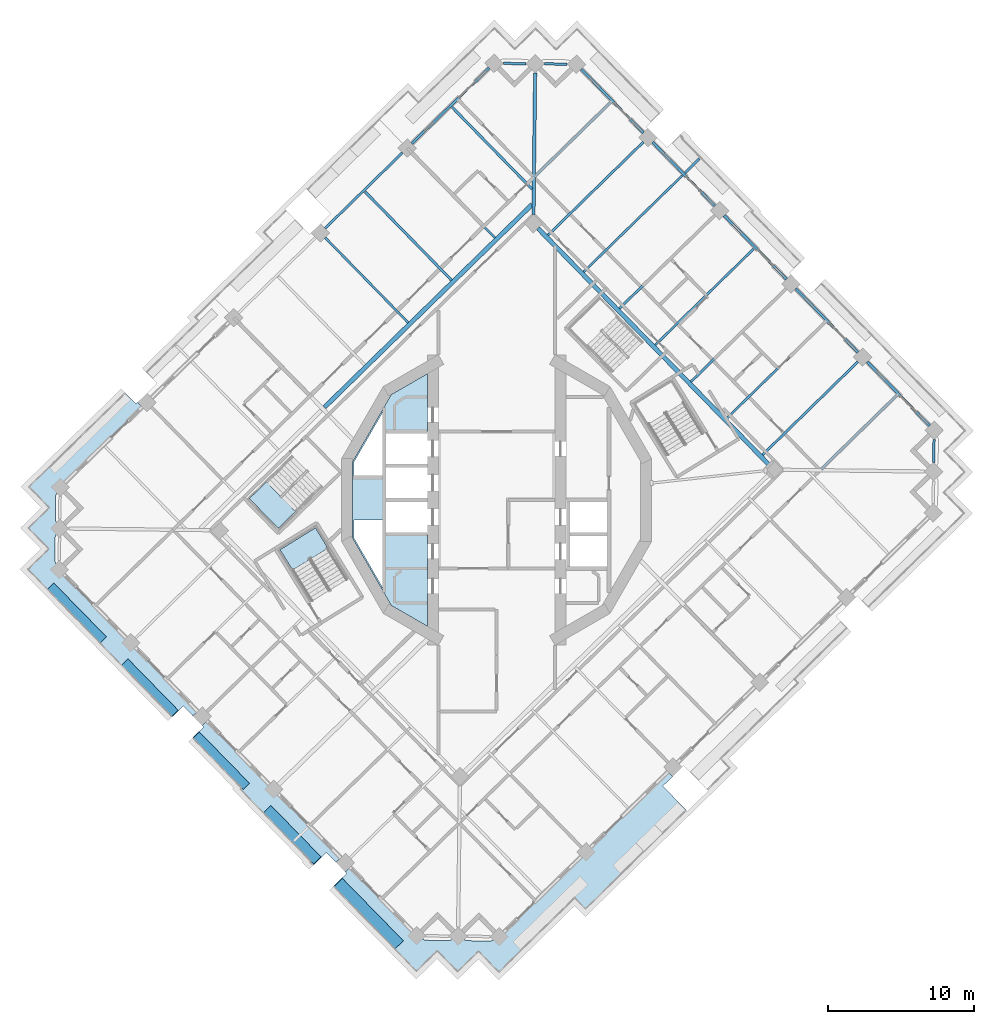
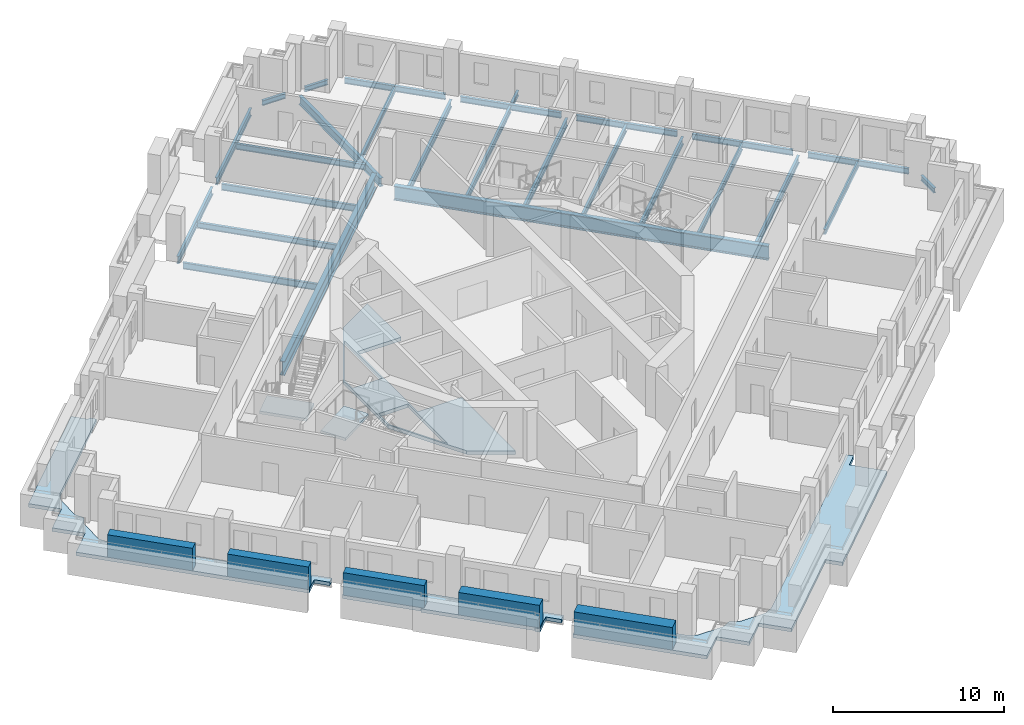
# One storey, part 2 of 19: 27 beams, 6 slabs, 5 plates, 2 elements without a shape of their own.
"""IFC4 building model written with IfcOpenShell, lengths in metres."""

import ifcopenshell
import ifcopenshell.guid

model = None  # the IFC model being written
_history = None  # IfcOwnerHistory: only IFC2X3 demands one
_inside = {}  # id of a spatial element -> (the spatial element, [elements in it])
_under = {}  # id of a project, library or spatial element -> (it, [spatial elements below it])
_declared = {}  # id of a project -> (the project, [libraries it declares])
_typed = {}  # id of a type object -> (the type object, [elements of that type])
_made_of = {}  # id of a material, layer set ... -> (it, [elements and type objects made of it])


def new_model(schema):
    """Start an empty IFC model of exactly this schema.

    Asked for "IFC4X3", IfcOpenShell would pick the latest addendum, in which some entities
    have other attributes; the version numbers below select the first issue.
    IFC2X3 requires an IfcOwnerHistory on every rooted entity: one is made here for all.
    """
    global model, _history
    if schema == "IFC4X3":
        model = ifcopenshell.file(schema_version=(4, 3, 0, 0))
    else:
        model = ifcopenshell.file(schema=schema)
    _inside.clear()
    _under.clear()
    _declared.clear()
    _typed.clear()
    _made_of.clear()
    _history = None
    if model.schema == "IFC2X3":
        org = make("IfcOrganization", Name="unknown")
        user = make(
            "IfcPersonAndOrganization",
            ThePerson=make("IfcPerson", FamilyName="unknown"),
            TheOrganization=org,
        )
        app = make(
            "IfcApplication",
            ApplicationDeveloper=org,
            Version="unknown",
            ApplicationFullName="unknown",
            ApplicationIdentifier="unknown",
        )
        _history = make(
            "IfcOwnerHistory",
            OwningUser=user,
            OwningApplication=app,
            ChangeAction="ADDED",
            CreationDate=0,
        )
    return model


def make(cls, **values):
    """One entity of the class cls with the attributes given. An attribute that is None is left unset."""
    return model.create_entity(
        cls, **{name: value for name, value in values.items() if value is not None}
    )


def rooted(cls, **values):
    """An entity with a GlobalId (a new one), such as an element, a storey or a relation."""
    return make(cls, GlobalId=ifcopenshell.guid.new(), OwnerHistory=_history, **values)


def si_unit(unit_type, name, prefix=None):
    """IfcSIUnit, for example si_unit("LENGTHUNIT", "METRE", prefix="MILLI")."""
    return make("IfcSIUnit", UnitType=unit_type, Prefix=prefix, Name=name)


def assignment(units):
    """IfcUnitAssignment: the units of a project."""
    return None if units is None else make("IfcUnitAssignment", Units=units)


def point(xyz):
    """IfcCartesianPoint."""
    return None if xyz is None else make("IfcCartesianPoint", Coordinates=xyz)


def direction(xyz):
    """IfcDirection."""
    return None if xyz is None else make("IfcDirection", DirectionRatios=xyz)


def frame(location, z_axis=None, x_axis=None):
    """IfcAxis2Placement3D, a coordinate frame: its origin and axes. An axis left out is left unset."""
    return make(
        "IfcAxis2Placement3D",
        Location=point(location),
        Axis=direction(z_axis),
        RefDirection=direction(x_axis),
    )


def frame_2d(location, x_axis=None):
    """IfcAxis2Placement2D, a coordinate frame in the plane: its origin and x axis."""
    return make(
        "IfcAxis2Placement2D", Location=point(location), RefDirection=direction(x_axis)
    )


def origin():
    """The frame at (0, 0, 0) with its axes left unset."""
    return frame((0.0, 0.0, 0.0))


def origin_2d():
    """The frame at (0, 0) in the plane with its x axis left unset."""
    return frame_2d((0.0, 0.0))


def place(relative_to, where):
    """IfcLocalPlacement: puts the frame where relative to a parent placement (None: the world)."""
    return make(
        "IfcLocalPlacement", PlacementRelTo=relative_to, RelativePlacement=where
    )


def context(
    kind, dimensions, precision=None, world=None, true_north=None, identifier=None
):
    """IfcGeometricRepresentationContext, for example the 3D "Model" context."""
    return make(
        "IfcGeometricRepresentationContext",
        ContextIdentifier=identifier,
        ContextType=kind,
        CoordinateSpaceDimension=dimensions,
        Precision=precision,
        WorldCoordinateSystem=world,
        TrueNorth=true_north,
    )


def subcontext(parent, identifier, kind, view, scale=None):
    """IfcGeometricRepresentationSubContext, for example "Body" below "Model"."""
    return make(
        "IfcGeometricRepresentationSubContext",
        ContextIdentifier=identifier,
        ContextType=kind,
        ParentContext=parent,
        TargetScale=scale,
        TargetView=view,
    )


def project(units=None, contexts=None):
    """IfcProject with its units and contexts."""
    return rooted(
        "IfcProject",
        Name="project",
        RepresentationContexts=contexts,
        UnitsInContext=assignment(units),
    )


def spatial(cls, under=None, at=None, **own):
    """A site, building, storey or space (cls), placed at a placement, below another one or the project."""
    s = rooted(cls, ObjectPlacement=at, **own)
    if under is not None:
        _under.setdefault(under.id(), (under, []))[1].append(s)
    return s


def polyline(points):
    """IfcPolyline through the points."""
    return make("IfcPolyline", Points=[point(p) for p in points])


def profile(cls, at=None, kind="AREA", **sizes):
    """A parametric profile (cls). Its sizes go by their IFC names, for example OverallWidth=200.0."""
    return make(cls, ProfileType=kind, Position=at, **sizes)


def rectangle(**sizes):
    """IfcRectangleProfileDef."""
    return profile("IfcRectangleProfileDef", **sizes)


def i_section(**sizes):
    """IfcIShapeProfileDef."""
    return profile("IfcIShapeProfileDef", **sizes)


def outline(outer, holes=None, kind="AREA"):
    """IfcArbitraryClosedProfileDef: a profile drawn as a closed curve; with holes, ...WithVoids."""
    if holes is None:
        return make("IfcArbitraryClosedProfileDef", ProfileType=kind, OuterCurve=outer)
    return make(
        "IfcArbitraryProfileDefWithVoids",
        ProfileType=kind,
        OuterCurve=outer,
        InnerCurves=holes,
    )


def extrude(swept, where, along, depth):
    """IfcExtrudedAreaSolid: the profile swept, set in the frame where, extruded along a direction by depth."""
    return make(
        "IfcExtrudedAreaSolid",
        SweptArea=swept,
        Position=where,
        ExtrudedDirection=direction(along),
        Depth=depth,
    )


def shape(context_of_items, identifier, shape_type, items):
    """IfcShapeRepresentation: the items that make up one representation, for example the "Body"."""
    return make(
        "IfcShapeRepresentation",
        ContextOfItems=context_of_items,
        RepresentationIdentifier=identifier,
        RepresentationType=shape_type,
        Items=items,
    )


def material(Name=None, Category=None):
    """IfcMaterial."""
    return make("IfcMaterial", Name=Name, Category=Category)


def layer(
    of_material, thickness, ventilated=None, Name=None, Category=None, Priority=None
):
    """IfcMaterialLayer: one layer of a wall or slab, of a material (None: an air gap)."""
    return make(
        "IfcMaterialLayer",
        Material=of_material,
        LayerThickness=thickness,
        IsVentilated=ventilated,
        Name=Name,
        Category=Category,
        Priority=Priority,
    )


def layer_set(layers, Name=None):
    """IfcMaterialLayerSet."""
    return make("IfcMaterialLayerSet", MaterialLayers=layers, LayerSetName=Name)


def material_profile(
    of_material, cross_section, Name=None, Category=None, Priority=None
):
    """IfcMaterialProfile: a cross section and its material."""
    return make(
        "IfcMaterialProfile",
        Name=Name,
        Material=of_material,
        Profile=cross_section,
        Priority=Priority,
        Category=Category,
    )


def profile_set(profiles, Name=None, composite=None):
    """IfcMaterialProfileSet."""
    return make(
        "IfcMaterialProfileSet",
        Name=Name,
        MaterialProfiles=profiles,
        CompositeProfile=composite,
    )


def made_of(thing, what):
    """Note that an element or type object is made of a material, layer set ...; save() writes the relation."""
    if what is not None:
        _made_of.setdefault(what.id(), (what, []))[1].append(thing)
    return thing


def type_object(cls, material=None, **own):
    """A type object (cls), such as IfcWallType, which elements share."""
    return made_of(rooted(cls, **own), material)


def element(
    cls,
    number,
    at=None,
    inside=None,
    cuts=None,
    type_object=None,
    material=None,
    context=None,
    identifier="Body",
    shape_type=None,
    held_by="IfcProductDefinitionShape",
    body=None,
    shapes=None,
    **own,
):
    """One element of the class cls, such as IfcWall. Its Tag is "e" and its number.

    at: its placement. inside: the storey or other place that contains it. cuts: it is an
    opening in that element (IfcRelVoidsElement). A single representation is given by context,
    identifier, shape_type and body (its items); several are given by shapes. held_by: the class
    of the entity that holds the representations. save() writes the other relations.
    """
    e = rooted(cls, Tag="e%d" % number, ObjectPlacement=at, **own)
    if body is not None:
        shapes = [shape(context, identifier, shape_type, body)]
    if shapes is not None:
        e.Representation = make(held_by, Representations=shapes)
    if inside is not None:
        _inside.setdefault(inside.id(), (inside, []))[1].append(e)
    if cuts is not None:
        rooted(
            "IfcRelVoidsElement", RelatingBuildingElement=cuts, RelatedOpeningElement=e
        )
    if type_object is not None:
        _typed.setdefault(type_object.id(), (type_object, []))[1].append(e)
    return made_of(e, material)


def aggregate(whole, parts):
    """IfcRelAggregates: a whole, such as a stair, and the parts it consists of."""
    return rooted("IfcRelAggregates", RelatingObject=whole, RelatedObjects=parts)


def save(model, path):
    """Write the relations noted so far, then the file.

    IfcRelAggregates (storeys below a building ...), IfcRelContainedInSpatialStructure (elements
    in a storey), IfcRelDefinesByType, IfcRelAssociatesMaterial and IfcRelDeclares: one each for
    every whole, place, type object, material and project.
    """
    for whole, parts in _under.values():
        aggregate(whole, parts)
    for where, things in _inside.values():
        rooted(
            "IfcRelContainedInSpatialStructure",
            RelatedElements=things,
            RelatingStructure=where,
        )
    for kind, things in _typed.values():
        rooted("IfcRelDefinesByType", RelatedObjects=things, RelatingType=kind)
    for what, things in _made_of.values():
        rooted("IfcRelAssociatesMaterial", RelatedObjects=things, RelatingMaterial=what)
    for by, libraries in _declared.values():
        rooted("IfcRelDeclares", RelatingContext=by, RelatedDefinitions=libraries)
    model.write(path)


model = new_model("IFC4")

# Units and contexts
model_context = context("Model", 3, precision=1e-05, world=origin(), true_north=direction((0.0, 1.0)))
body_context = subcontext(model_context, "Body", "Model", "MODEL_VIEW")
ifc_project = project(units=[si_unit("LENGTHUNIT", "METRE"), si_unit("AREAUNIT", "SQUARE_METRE"), si_unit("VOLUMEUNIT", "CUBIC_METRE"), si_unit("PLANEANGLEUNIT", "RADIAN"), si_unit("MASSUNIT", "GRAM", prefix="KILO")], contexts=[model_context])

# Site, building, storey
site_placement = place(None, origin())
site = spatial("IfcSite", under=ifc_project, at=site_placement, CompositionType="ELEMENT")
building_placement = place(site_placement, origin())
building = spatial("IfcBuilding", under=site, at=building_placement, Name="Cantera Rosa Tower", CompositionType="ELEMENT")
storey_placement = place(building_placement, frame((0.0, 0.0, 216.199951171875)))
storey = spatial("IfcBuildingStorey", under=building, at=storey_placement, Name="L46", CompositionType="ELEMENT", Elevation=216.199951171875)

# Beams
ifc_material_1 = material(Name="Steel ASTM A992 (Fy 345 MPa)", Category="steel")
ifc_material_profile_1 = material_profile(ifc_material_1, i_section(OverallWidth=0.302001953125, OverallDepth=1.010009765625, WebThickness=0.02099609375, FlangeThickness=0.0400390625, FilletRadius=0.030029296875, at=origin_2d()), Name="W1000X350")
ifc_profile_set_1 = profile_set([ifc_material_profile_1], Name="Steel ASTM A992 (Fy 345 MPa)")
beam_type_1 = type_object("IfcBeamType", Name="STEEL BEAM W1000X350", PredefinedType="BEAM", material=ifc_profile_set_1)
beam_1_placement = place(storey_placement, frame((-11.813232421875, 6.353271484375, -0.7548828125), z_axis=(0.715280810147, 0.698837150297, 0.0), x_axis=(-0.698837150297, 0.715280810147, 0.0)))
element("IfcBeam", 1, at=beam_1_placement, inside=storey, type_object=beam_type_1, Name="RB-Z4-02 L46", PredefinedType="BEAM", context=body_context, shape_type="SweptSolid", body=[
    extrude(i_section(OverallWidth=0.302001953125, OverallDepth=1.010009765625, WebThickness=0.02099609375, FlangeThickness=0.0400390625, FilletRadius=0.030029296875, at=origin_2d()), origin(), (0.0, 0.0, 1.0), 19.909912109375),
])
beam_2_placement = place(storey_placement, frame((18.69677734375, 2.39892578125, -0.7548828125), z_axis=(-0.698831294804, 0.715286530981, 0.0), x_axis=(-0.715286530981, -0.698831294804, 0.0)))
element("IfcBeam", 2, at=beam_2_placement, inside=storey, type_object=beam_type_1, Name="RB-Z4-05 L46", PredefinedType="BEAM", context=body_context, shape_type="SweptSolid", body=[
    extrude(i_section(OverallWidth=0.302001953125, OverallDepth=1.010009765625, WebThickness=0.02099609375, FlangeThickness=0.0400390625, FilletRadius=0.030029296875, at=origin_2d()), origin(), (0.0, 0.0, 1.0), 22.7001953125),
])
ifc_material_2 = material(Name="Steel ASTM A992 (Fy 345 MPa)", Category="steel")
ifc_material_profile_2 = material_profile(ifc_material_2, i_section(OverallWidth=0.154052734375, OverallDepth=0.4599609375, WebThickness=0.009033203125, FlangeThickness=0.015380859375, FilletRadius=0.01025390625, at=origin_2d()), Name="W460X68")
ifc_profile_set_2 = profile_set([ifc_material_profile_2], Name="Steel ASTM A992 (Fy 345 MPa)")
beam_type_2 = type_object("IfcBeamType", Name="STEEL BEAM W460X68", PredefinedType="BEAM", material=ifc_profile_set_2)
for number, where, z_axis, x_axis, name in (
    (3, (-5.818603515625, 23.81396484375, -0.47998046875), (0.698836133494, -0.715281803574, 0.0), (0.715281803574, 0.698836133494, 0.0), "G-Z4-05 L46"),
    (4, (-11.769775390625, 17.999755859375, -0.47998046875), (0.698836133494, -0.715281803574, 0.0), (0.715281803574, 0.698836133494, 0.0), "G-Z4-06 L46"),
):
    element("IfcBeam", number, at=place(storey_placement, frame(where, z_axis=z_axis, x_axis=x_axis)), inside=storey, type_object=beam_type_2, Name=name, PredefinedType="BEAM", context=body_context, shape_type="SweptSolid", body=[
        extrude(i_section(OverallWidth=0.154052734375, OverallDepth=0.4599609375, WebThickness=0.009033203125, FlangeThickness=0.015380859375, FilletRadius=0.01025390625, at=origin_2d()), origin(), (0.0, 0.0, 1.0), 8.150146484375),
    ])
ifc_material_3 = material(Name="Steel ASTM A992 (Fy 345 MPa)", Category="steel")
ifc_material_profile_3 = material_profile(ifc_material_3, i_section(OverallWidth=0.166015625, OverallDepth=0.528076171875, WebThickness=0.009765625, FlangeThickness=0.013671875, FilletRadius=0.0126953125, at=origin_2d()), Name="W530X74")
ifc_profile_set_3 = profile_set([ifc_material_profile_3], Name="Steel ASTM A992 (Fy 345 MPa)")
beam_type_3 = type_object("IfcBeamType", Name="STEEL BEAM W530X74", PredefinedType="BEAM", material=ifc_profile_set_3)
for number, where, z_axis, x_axis, name in (
    (5, (24.77587890625, 9.484619140625, -0.513916015625), (-0.71529025682, -0.698827481213, 0.0), (0.698827481213, -0.71529025682, 0.0), "G-Z4-01 L46"),
    (6, (19.8701171875, 14.505859375, -0.513916015625), (-0.71529025682, -0.698827481213, 0.0), (0.698827481213, -0.71529025682, 0.0), "G-Z4-02 L46"),
    (7, (14.96435546875, 19.527099609375, -0.513916015625), (-0.71529025682, -0.698827481213, 0.0), (0.698827481213, -0.71529025682, 0.0), "G-Z4-03 L46"),
    (8, (10.05859375, 24.548583984375, -0.513916015625), (-0.71529025682, -0.698827481213, 0.0), (0.698827481213, -0.71529025682, 0.0), "G-Z4-04 L46"),
):
    element("IfcBeam", number, at=place(storey_placement, frame(where, z_axis=z_axis, x_axis=x_axis)), inside=storey, type_object=beam_type_3, Name=name, PredefinedType="BEAM", context=body_context, shape_type="SweptSolid", body=[
        extrude(i_section(OverallWidth=0.166015625, OverallDepth=0.528076171875, WebThickness=0.009765625, FlangeThickness=0.013671875, FilletRadius=0.0126953125, at=origin_2d()), origin(), (0.0, 0.0, 1.0), 9.14990234375),
    ])
ifc_material_4 = material(Name="Steel ASTM A992 (Fy 345 MPa)", Category="steel")
ifc_material_profile_4 = material_profile(ifc_material_4, i_section(OverallWidth=0.22802734375, OverallDepth=0.60205078125, WebThickness=0.010498046875, FlangeThickness=0.014892578125, FilletRadius=0.0126953125, at=origin_2d()), Name="W610X101")
ifc_profile_set_4 = profile_set([ifc_material_profile_4], Name="Steel ASTM A992 (Fy 345 MPa)")
beam_type_4 = type_object("IfcBeamType", Name="STEEL BEAM W610X101", PredefinedType="BEAM", material=ifc_profile_set_4)
beam_3_placement = place(storey_placement, frame((2.638916015625, 29.28076171875, -0.551025390625), z_axis=(-0.011618330597, -0.999932504919, 0.0), x_axis=(0.999932504919, -0.011618330597, 0.0)))
element("IfcBeam", 9, at=beam_3_placement, inside=storey, type_object=beam_type_4, Name="CB-Z4-01 L46", PredefinedType="BEAM", context=body_context, shape_type="SweptSolid", body=[
    extrude(i_section(OverallWidth=0.22802734375, OverallDepth=0.60205078125, WebThickness=0.010498046875, FlangeThickness=0.014892578125, FilletRadius=0.0126953125, at=origin_2d()), origin(), (0.0, 0.0, 1.0), 9.687255859375),
])
ifc_material_5 = material(Name="Steel ASTM A992 (Fy 345 MPa)", Category="steel")
ifc_material_profile_5 = material_profile(ifc_material_5, i_section(OverallWidth=0.1708984375, OverallDepth=0.35595703125, WebThickness=0.00732421875, FlangeThickness=0.01171875, FilletRadius=0.010009765625, at=origin_2d()), Name="W360X51")
ifc_profile_set_5 = profile_set([ifc_material_profile_5], Name="Steel ASTM A992 (Fy 345 MPa)")
beam_type_5 = type_object("IfcBeamType", Name="STEEL JOIST W360X51", PredefinedType="JOIST", material=ifc_profile_set_5)
for number, where, z_axis, x_axis, name in (
    (10, (27.443359375, 7.18359375, -0.427978515625), (-0.715287213552, -0.69883059616, 0.0), (0.69883059616, -0.715287213552, 0.0), "B-Z4-01 L46"),
    (11, (7.8203125, 27.268798828125, -0.427978515625), (-0.715287213552, -0.69883059616, 0.0), (0.69883059616, -0.715287213552, 0.0), "B-Z4-05 L46"),
):
    element("IfcBeam", number, at=place(storey_placement, frame(where, z_axis=z_axis, x_axis=x_axis)), inside=storey, type_object=beam_type_5, Name=name, PredefinedType="JOIST", context=body_context, shape_type="SweptSolid", body=[
        extrude(i_section(OverallWidth=0.1708984375, OverallDepth=0.35595703125, WebThickness=0.00732421875, FlangeThickness=0.01171875, FilletRadius=0.010009765625, at=origin_2d()), origin(), (0.0, 0.0, 1.0), 7.2099609375),
    ])
beam_4_placement = place(storey_placement, frame((12.92626953125, 22.443115234375, -0.427978515625), z_axis=(0.715278545481, 0.698839468243, 0.0), x_axis=(-0.698839468243, 0.715278545481, 0.0)))
element("IfcBeam", 12, at=beam_4_placement, inside=storey, type_object=beam_type_5, Name="BS-Z4-05 L46", PredefinedType="JOIST", context=body_context, shape_type="SweptSolid", body=[
    extrude(i_section(OverallWidth=0.1708984375, OverallDepth=0.35595703125, WebThickness=0.00732421875, FlangeThickness=0.01171875, FilletRadius=0.010009765625, at=origin_2d()), origin(), (0.0, 0.0, 1.0), 1.3662109375),
])
ifc_material_6 = material(Name="Steel ASTM A992 (Fy 345 MPa)", Category="steel")
ifc_material_profile_6 = material_profile(ifc_material_6, i_section(OverallWidth=0.177978515625, OverallDepth=0.406005859375, WebThickness=0.0078125, FlangeThickness=0.0126953125, FilletRadius=0.01025390625, at=origin_2d()), Name="W410X60")
ifc_profile_set_6 = profile_set([ifc_material_profile_6], Name="Steel ASTM A992 (Fy 345 MPa)")
beam_type_6 = type_object("IfcBeamType", Name="STEEL JOIST W410X60", PredefinedType="JOIST", material=ifc_profile_set_6)
beam_5_placement = place(storey_placement, frame((-3.052734375, 26.935791015625, -0.452880859375), z_axis=(0.698827868311, -0.715289878631, 0.0), x_axis=(0.715289878631, 0.698827868311, 0.0)))
element("IfcBeam", 13, at=beam_5_placement, inside=storey, type_object=beam_type_6, Name="B-Z4-06 L46", PredefinedType="JOIST", context=body_context, shape_type="SweptSolid", body=[
    extrude(i_section(OverallWidth=0.177978515625, OverallDepth=0.406005859375, WebThickness=0.0078125, FlangeThickness=0.0126953125, FilletRadius=0.01025390625, at=origin_2d()), origin(), (0.0, 0.0, 1.0), 7.860107421875),
])
beam_6_placement = place(storey_placement, frame((-9.00390625, 21.121337890625, -0.452880859375), z_axis=(0.698839235604, -0.715278772774, 0.0), x_axis=(0.715278772774, 0.698839235604, 0.0)))
element("IfcBeam", 14, at=beam_6_placement, inside=storey, type_object=beam_type_6, Name="B-Z4-07 L46", PredefinedType="JOIST", context=body_context, shape_type="SweptSolid", body=[
    extrude(i_section(OverallWidth=0.177978515625, OverallDepth=0.406005859375, WebThickness=0.0078125, FlangeThickness=0.0126953125, FilletRadius=0.01025390625, at=origin_2d()), origin(), (0.0, 0.0, 1.0), 8.4501953125),
])
ifc_material_7 = material(Name="Steel ASTM A992 (Fy 345 MPa)", Category="steel")
ifc_material_profile_7 = material_profile(ifc_material_7, i_section(OverallWidth=0.154052734375, OverallDepth=0.4599609375, WebThickness=0.009033203125, FlangeThickness=0.015380859375, FilletRadius=0.01025390625, at=origin_2d()), Name="W460X68")
ifc_profile_set_7 = profile_set([ifc_material_profile_7], Name="Steel ASTM A992 (Fy 345 MPa)")
beam_type_7 = type_object("IfcBeamType", Name="STEEL JOIST W460X68", PredefinedType="JOIST", material=ifc_profile_set_7)
for number, where, z_axis, x_axis, name in (
    (15, (22.53759765625, 12.204833984375, -0.47998046875), (-0.715287278354, -0.698830529832, 0.0), (0.698830529832, -0.715287278354, 0.0), "B-Z4-02 L46"),
    (16, (17.6318359375, 17.226318359375, -0.47998046875), (-0.715287278354, -0.698830529832, 0.0), (0.698830529832, -0.715287278354, 0.0), "B-Z4-03 L46"),
    (17, (12.72607421875, 22.24755859375, -0.47998046875), (-0.715287278354, -0.698830529832, 0.0), (0.698830529832, -0.715287278354, 0.0), "B-Z4-04 L46"),
):
    element("IfcBeam", number, at=place(storey_placement, frame(where, z_axis=z_axis, x_axis=x_axis)), inside=storey, type_object=beam_type_7, Name=name, PredefinedType="JOIST", context=body_context, shape_type="SweptSolid", body=[
        extrude(i_section(OverallWidth=0.154052734375, OverallDepth=0.4599609375, WebThickness=0.009033203125, FlangeThickness=0.015380859375, FilletRadius=0.01025390625, at=origin_2d()), origin(), (0.0, 0.0, 1.0), 9.4501953125),
    ])
ifc_material_8 = material(Name="Steel ASTM A992 (Fy 345 MPa)", Category="steel")
ifc_material_profile_8 = material_profile(ifc_material_8, i_section(OverallWidth=0.1708984375, OverallDepth=0.35595703125, WebThickness=0.00732421875, FlangeThickness=0.01171875, FilletRadius=0.010009765625, at=origin_2d()), Name="W360X51")
ifc_profile_set_8 = profile_set([ifc_material_profile_8], Name="Steel ASTM A992 (Fy 345 MPa)")
beam_type_8 = type_object("IfcBeamType", Name="STEEL SPANDREL BEAM W360X51", PredefinedType="SPANDREL", material=ifc_profile_set_8)
for number, where, z_axis, x_axis, name in (
    (18, (4.838134765625, 29.8916015625, -0.427978515625), (-0.999930716123, 0.011771276677, 0.0), (-0.011771276677, -0.999930716123, 0.0), "EB-Z4-06 L46"),
    (19, (2.010009765625, 29.924560546875, -0.427978515625), (-0.99993255119, 0.011614347636, 0.0), (-0.011614347636, -0.99993255119, 0.0), "EB-Z4-07 L46"),
    (20, (29.97802734375, 2.5859375, -0.427978515625), (0.011614347636, 0.99993255119, 0.0), (-0.99993255119, 0.011614347636, 0.0), "EB-Z4-28 L46"),
):
    element("IfcBeam", number, at=place(storey_placement, frame(where, z_axis=z_axis, x_axis=x_axis)), inside=storey, type_object=beam_type_8, Name=name, PredefinedType="SPANDREL", context=body_context, shape_type="SweptSolid", body=[
        extrude(i_section(OverallWidth=0.1708984375, OverallDepth=0.35595703125, WebThickness=0.00732421875, FlangeThickness=0.01171875, FilletRadius=0.010009765625, at=origin_2d()), origin(), (0.0, 0.0, 1.0), 1.555419921875),
    ])
ifc_material_9 = material(Name="Steel ASTM A992 (Fy 345 MPa)", Category="steel")
ifc_material_profile_9 = material_profile(ifc_material_9, i_section(OverallWidth=0.177978515625, OverallDepth=0.406005859375, WebThickness=0.0078125, FlangeThickness=0.0126953125, FilletRadius=0.01025390625, at=origin_2d()), Name="W410X60")
ifc_profile_set_9 = profile_set([ifc_material_profile_9], Name="Steel ASTM A992 (Fy 345 MPa)")
beam_type_9 = type_object("IfcBeamType", Name="STEEL SPANDREL BEAM W410X60", PredefinedType="SPANDREL", material=ifc_profile_set_9)
beam_7_placement = place(storey_placement, frame((29.689208984375, 5.099609375, -0.452880859375), z_axis=(-0.69882117953, 0.715296413412, 0.0), x_axis=(-0.715296413412, -0.69882117953, 0.0)))
element("IfcBeam", 21, at=beam_7_placement, inside=storey, type_object=beam_type_9, Name="EB-Z4-01 L46", PredefinedType="SPANDREL", context=body_context, shape_type="SweptSolid", body=[
    extrude(i_section(OverallWidth=0.177978515625, OverallDepth=0.406005859375, WebThickness=0.0078125, FlangeThickness=0.0126953125, FilletRadius=0.01025390625, at=origin_2d()), origin(), (0.0, 0.0, 1.0), 6.1201171875),
])
for number, where, z_axis, x_axis, name in (
    (22, (24.783203125, 10.120849609375, -0.452880859375), (-0.698800768177, 0.715316354067, 0.0), (-0.715316354067, -0.698800768177, 0.0), "EB-Z4-02 L46"),
    (23, (19.87744140625, 15.142333984375, -0.452880859375), (-0.698841120217, 0.71527693147, 0.0), (-0.71527693147, -0.698841120217, 0.0), "EB-Z4-03 L46"),
    (24, (14.9716796875, 20.16357421875, -0.452880859375), (-0.698841120217, 0.71527693147, 0.0), (-0.71527693147, -0.698841120217, 0.0), "EB-Z4-04 L46"),
):
    element("IfcBeam", number, at=place(storey_placement, frame(where, z_axis=z_axis, x_axis=x_axis)), inside=storey, type_object=beam_type_9, Name=name, PredefinedType="SPANDREL", context=body_context, shape_type="SweptSolid", body=[
        extrude(i_section(OverallWidth=0.177978515625, OverallDepth=0.406005859375, WebThickness=0.0078125, FlangeThickness=0.0126953125, FilletRadius=0.01025390625, at=origin_2d()), origin(), (0.0, 0.0, 1.0), 6.119873046875),
    ])
beam_8_placement = place(storey_placement, frame((10.06591796875, 25.184814453125, -0.452880859375), z_axis=(-0.69882117953, 0.715296413412, 0.0), x_axis=(-0.715296413412, -0.69882117953, 0.0)))
element("IfcBeam", 25, at=beam_8_placement, inside=storey, type_object=beam_type_9, Name="EB-Z4-05 L46", PredefinedType="SPANDREL", context=body_context, shape_type="SweptSolid", body=[
    extrude(i_section(OverallWidth=0.177978515625, OverallDepth=0.406005859375, WebThickness=0.0078125, FlangeThickness=0.0126953125, FilletRadius=0.01025390625, at=origin_2d()), origin(), (0.0, 0.0, 1.0), 6.1201171875),
])
ifc_material_10 = material(Name="Steel ASTM A992 (Fy 345 MPa)", Category="steel")
ifc_material_profile_10 = material_profile(ifc_material_10, i_section(OverallWidth=0.166015625, OverallDepth=0.528076171875, WebThickness=0.009765625, FlangeThickness=0.013671875, FilletRadius=0.0126953125, at=origin_2d()), Name="W530X74")
ifc_profile_set_10 = profile_set([ifc_material_profile_10], Name="Steel ASTM A992 (Fy 345 MPa)")
beam_type_10 = type_object("IfcBeamType", Name="STEEL SPANDREL BEAM W530X74", PredefinedType="SPANDREL", material=ifc_profile_set_10)
beam_9_placement = place(storey_placement, frame((-0.503662109375, 29.6357421875, -0.513916015625), z_axis=(-0.715284379566, -0.698833496871, 0.0), x_axis=(0.698833496871, -0.715284379566, 0.0)))
element("IfcBeam", 26, at=beam_9_placement, inside=storey, type_object=beam_type_10, Name="EB-Z4-08 L46", PredefinedType="SPANDREL", context=body_context, shape_type="SweptSolid", body=[
    extrude(i_section(OverallWidth=0.166015625, OverallDepth=0.528076171875, WebThickness=0.009765625, FlangeThickness=0.013671875, FilletRadius=0.0126953125, at=origin_2d()), origin(), (0.0, 0.0, 1.0), 7.42041015625),
])
beam_10_placement = place(storey_placement, frame((-6.454833984375, 23.8212890625, -0.513916015625), z_axis=(-0.715300826176, -0.698816662703, 0.0), x_axis=(0.698816662703, -0.715300826176, 0.0)))
element("IfcBeam", 27, at=beam_10_placement, inside=storey, type_object=beam_type_10, Name="EB-Z4-09 L46", PredefinedType="SPANDREL", context=body_context, shape_type="SweptSolid", body=[
    extrude(i_section(OverallWidth=0.166015625, OverallDepth=0.528076171875, WebThickness=0.009765625, FlangeThickness=0.013671875, FilletRadius=0.0126953125, at=origin_2d()), origin(), (0.0, 0.0, 1.0), 7.420166015625),
])

# Slabs
ifc_material_11 = material(Name="Concrete C35/45", Category="concrete")
ifc_layer_1 = layer(ifc_material_11, 0.25)
ifc_layer_set_1 = layer_set([ifc_layer_1], Name="COMPOSITE FLOOR SLAB 250 C35/45")
slab_type_1 = type_object("IfcSlabType", Name="COMPOSITE FLOOR SLAB 250 C35/45", PredefinedType="FLOOR", material=ifc_layer_set_1)
slab_1_placement = place(storey_placement, frame((0.0, 0.0, -0.25)))
element("IfcSlab", 28, at=slab_1_placement, inside=storey, type_object=slab_type_1, Name="SLAB L46 floor 1", PredefinedType="FLOOR", context=body_context, shape_type="SweptSolid", body=[
    extrude(outline(polyline([(-4.75, -8.660400390625), (-7.22900390625, -7.22900390625), (-9.875244140625, -2.64599609375), (-9.875244140625, 2.64599609375), (-7.22900390625, 7.22900390625), (-4.75, 8.660400390625), (-4.75, 4.699951171875), (-7.699951171875, 4.699951171875), (-7.699951171875, 2.35009765625), (-7.699951171875, 0.0), (-7.699951171875, -2.35009765625), (-4.75, -2.35009765625), (-4.75, -8.660400390625)]), holes=[polyline([(-9.775146484375, -1.3828125), (-9.775146484375, -2.619384765625), (-7.800048828125, -6.040283203125), (-7.800048828125, -1.3828125), (-9.775146484375, -1.3828125)]), polyline([(-9.775146484375, 2.619384765625), (-9.775146484375, 1.639404296875), (-7.800048828125, 1.639404296875), (-7.800048828125, 6.040283203125), (-9.775146484375, 2.619384765625)])]), origin(), (0.0, 0.0, 1.0), 0.25),
])
ifc_material_12 = material(Name="Concrete C35/45", Category="concrete")
ifc_layer_2 = layer(ifc_material_12, 0.25)
ifc_layer_set_2 = layer_set([ifc_layer_2], Name="LOGGIA SLAB 250 C35/45")
slab_type_2 = type_object("IfcSlabType", Name="LOGGIA SLAB 250 C35/45", PredefinedType="FLOOR", material=ifc_layer_set_2)
slab_2_placement = place(storey_placement, frame((0.0, 0.0, -0.25)))
element("IfcSlab", 29, at=slab_2_placement, inside=storey, type_object=slab_type_2, Name="LOGGIA SLAB L46 1", PredefinedType="FLOOR", context=body_context, shape_type="SweptSolid", body=[
    extrude(outline(polyline([(-31.0517578125, -3.704833984375), (-30.694091796875, -3.35546875), (-31.043701171875, -2.997802734375), (-32.091796875, -1.9248046875), (-31.018798828125, -0.876708984375), (-30.661376953125, -0.527099609375), (-31.0107421875, -0.16943359375), (-32.05908203125, 0.9033203125), (-30.986083984375, 1.95166015625), (-26.10791015625, 6.7177734375), (-25.464111328125, 7.3466796875), (-24.730224609375, 6.595703125), (-24.622802734375, 6.700439453125), (-24.30859375, 6.37841796875), (-29.937744140625, 0.878662109375), (-30.2080078125, 0.386962890625), (-30.220947265625, 0.3603515625), (-30.231201171875, 0.332763671875), (-30.23876953125, 0.30419921875), (-30.243408203125, 0.275146484375), (-30.2451171875, 0.245849609375), (-30.26318359375, -1.309814453125), (-30.26220703125, -1.339111328125), (-30.25830078125, -1.368408203125), (-30.25146484375, -1.39697265625), (-30.24169921875, -1.4248046875), (-30.2294921875, -1.451416015625), (-29.970703125, -1.949462890625), (-30.240966796875, -2.44140625), (-30.25390625, -2.4677734375), (-30.26416015625, -2.495361328125), (-30.271484375, -2.52392578125), (-30.2763671875, -2.552978515625), (-30.278076171875, -2.58251953125), (-30.296142578125, -4.137939453125), (-30.295166015625, -4.167236328125), (-30.291015625, -4.196533203125), (-30.2841796875, -4.22509765625), (-30.274658203125, -4.2529296875), (-30.262451171875, -4.27978515625), (-30.003662109375, -4.777587890625), (-20.506591796875, -14.49853515625), (-20.828369140625, -14.81298828125), (-21.4921875, -14.13330078125), (-22.243408203125, -14.8671875), (-22.313232421875, -14.795654296875), (-25.12255859375, -11.920166015625), (-27.218994140625, -9.7744140625), (-31.076416015625, -5.825927734375), (-32.124755859375, -4.753173828125), (-31.0517578125, -3.704833984375)])), origin(), (0.0, 0.0, 1.0), 0.25),
])
slab_3_placement = place(storey_placement, frame((0.0, 0.0, -0.25)))
element("IfcSlab", 30, at=slab_3_placement, inside=storey, type_object=slab_type_2, Name="LOGGIA SLAB L46 3", PredefinedType="FLOOR", context=body_context, shape_type="SweptSolid", body=[
    extrude(outline(polyline([(-20.845703125, -16.2978515625), (-20.094482421875, -15.56396484375), (-20.199462890625, -15.456787109375), (-19.87744140625, -15.14208984375), (-10.69482421875, -24.541015625), (-11.016845703125, -24.855712890625), (-11.6806640625, -24.176025390625), (-12.57470703125, -25.049560546875), (-12.784423828125, -24.8349609375), (-12.724609375, -24.776611328125), (-17.57177734375, -19.815185546875), (-17.488525390625, -19.73388671875), (-20.216796875, -16.94140625), (-20.845703125, -16.2978515625)])), origin(), (0.0, 0.0, 1.0), 0.25),
])
slab_4_placement = place(storey_placement, frame((0.0, 0.0, -0.25)))
element("IfcSlab", 31, at=slab_4_placement, inside=storey, type_object=slab_type_2, Name="LOGGIA SLAB L46 5", PredefinedType="FLOOR", context=body_context, shape_type="SweptSolid", body=[
    extrude(outline(polyline([(-1.243896484375, -30.923583984375), (-1.45849609375, -31.13330078125), (-2.67431640625, -32.3212890625), (-3.8623046875, -31.105224609375), (-4.072021484375, -30.890625), (-4.28662109375, -31.100341796875), (-5.502685546875, -32.288330078125), (-6.690673828125, -31.072265625), (-11.177001953125, -26.480224609375), (-10.282958984375, -25.606689453125), (-10.3876953125, -25.499267578125), (-10.06591796875, -25.184814453125), (-5.474609375, -29.88427734375), (-4.982666015625, -30.154541015625), (-4.956298828125, -30.16748046875), (-4.9287109375, -30.177734375), (-4.900146484375, -30.185302734375), (-4.87109375, -30.18994140625), (-4.841796875, -30.191650390625), (-3.2861328125, -30.209716796875), (-3.2568359375, -30.208740234375), (-3.2275390625, -30.20458984375), (-3.198974609375, -30.197998046875), (-3.171142578125, -30.188232421875), (-3.144287109375, -30.176025390625), (-2.646484375, -29.917236328125), (-2.154541015625, -30.1875), (-2.1279296875, -30.200439453125), (-2.100341796875, -30.210693359375), (-2.072021484375, -30.218017578125), (-2.04296875, -30.222900390625), (-2.013427734375, -30.224609375), (-0.4580078125, -30.24267578125), (-0.4287109375, -30.24169921875), (-0.3994140625, -30.237548828125), (-0.37060546875, -30.230712890625), (-0.343017578125, -30.22119140625), (-0.316162109375, -30.208984375), (0.181884765625, -29.9501953125), (0.883056640625, -29.26513671875), (11.76220703125, -18.635986328125), (12.076904296875, -18.9580078125), (11.397216796875, -19.621826171875), (13.002197265625, -21.264404296875), (6.087890625, -28.019775390625), (5.3564453125, -27.271240234375), (1.369873046875, -31.166015625), (0.15380859375, -32.35400390625), (-1.0341796875, -31.13818359375), (-1.243896484375, -30.923583984375)])), origin(), (0.0, 0.0, 1.0), 0.25),
])

# Plates
ifc_material_13 = material(Name="Cantera stone planter with soil", Category="masonry")
plate_type_1 = type_object("IfcPlateType", Name="PLANTER 600", PredefinedType="USERDEFINED", material=ifc_material_13)
plate_1_placement = place(storey_placement, frame((-28.77587890625, -7.75146484375, 0.0), z_axis=(0.0, 0.0, 1.0), x_axis=(0.698831540364, -0.71528629107, 0.0)))
element("IfcPlate", 32, at=plate_1_placement, inside=storey, type_object=plate_type_1, Name="PLANTER L46-11", ObjectType="PLANTER", PredefinedType="USERDEFINED", context=body_context, shape_type="SweptSolid", body=[
    extrude(rectangle(XDim=5.169921875, YDim=0.60009765625, at=origin_2d()), origin(), (0.0, 0.0, 1.0), 1.60009765625),
])
for number, where, z_axis, x_axis, name in (
    (33, (-23.78271484375, -12.8623046875, 0.0), (0.0, 0.0, 1.0), (0.698831540364, -0.71528629107, 0.0), "PLANTER L46-12"),
    (34, (-18.876953125, -17.883544921875, 0.0), (0.0, 0.0, 1.0), (0.698831540364, -0.71528629107, 0.0), "PLANTER L46-13"),
):
    element("IfcPlate", number, at=place(storey_placement, frame(where, z_axis=z_axis, x_axis=x_axis)), inside=storey, type_object=plate_type_1, Name=name, ObjectType="PLANTER", PredefinedType="USERDEFINED", context=body_context, shape_type="SweptSolid", body=[
        extrude(rectangle(XDim=4.919921875, YDim=0.60009765625, at=origin_2d()), origin(), (0.0, 0.0, 1.0), 1.60009765625),
    ])
ifc_material_14 = material(Name="Cantera stone planter with soil", Category="masonry")
plate_type_2 = type_object("IfcPlateType", Name="PLANTER 700", PredefinedType="USERDEFINED", material=ifc_material_14)
plate_2_placement = place(storey_placement, frame((-14.0185546875, -22.951171875, 0.0), z_axis=(0.0, 0.0, 1.0), x_axis=(0.698831540364, -0.71528629107, 0.0)))
element("IfcPlate", 35, at=plate_2_placement, inside=storey, type_object=plate_type_2, Name="PLANTER L46-14", ObjectType="PLANTER", PredefinedType="USERDEFINED", context=body_context, shape_type="SweptSolid", body=[
    extrude(rectangle(XDim=4.919921875, YDim=0.699951171875, at=origin_2d()), origin(), (0.0, 0.0, 1.0), 1.60009765625),
])
ifc_material_15 = material(Name="Cantera stone planter with soil", Category="masonry")
plate_type_3 = type_object("IfcPlateType", Name="PLANTER 800", PredefinedType="USERDEFINED", material=ifc_material_15)
plate_3_placement = place(storey_placement, frame((-8.77001953125, -28.37158203125, 0.0), z_axis=(0.0, 0.0, 1.0), x_axis=(0.698831540364, -0.71528629107, 0.0)))
element("IfcPlate", 36, at=plate_3_placement, inside=storey, type_object=plate_type_3, Name="PLANTER L46-15", ObjectType="PLANTER", PredefinedType="USERDEFINED", context=body_context, shape_type="SweptSolid", body=[
    extrude(rectangle(XDim=5.969970703125, YDim=0.800048828125, at=origin_2d()), origin(), (0.0, 0.0, 1.0), 1.60009765625),
])

# Stair, slab
ifc_material_16 = material(Name="Concrete C35/45", Category="concrete")
stair_type = type_object("IfcStairType", Name="EXIT STAIR 1350 DOGLEG", PredefinedType="HALF_TURN_STAIR", material=ifc_material_16)
stair_1_placement = place(storey_placement, origin())
stair_1 = element("IfcStair", 37, at=stair_1_placement, inside=storey, type_object=stair_type, Name="L46 ST-43", PredefinedType="HALF_TURN_STAIR")
ifc_material_17 = material(Name="Concrete C35/45", Category="concrete")
ifc_layer_3 = layer(ifc_material_17, 0.199951171875)
ifc_layer_set_3 = layer_set([ifc_layer_3], Name="STAIR LANDING 200")
slab_type_3 = type_object("IfcSlabType", Name="STAIR LANDING 200", PredefinedType="LANDING", material=ifc_layer_set_3)
slab_5_placement = place(storey_placement, frame((0.0, 0.0, 1.60009765625)))
slab_5 = element("IfcSlab", 38, at=slab_5_placement, type_object=slab_type_3, Name="ST-43 landing 1", PredefinedType="LANDING", context=body_context, shape_type="SweptSolid", body=[
    extrude(outline(polyline([(-15.788330078125, 1.244873046875), (-16.962890625, 0.097412109375), (-14.97119140625, -1.941162109375), (-13.796630859375, -0.793701171875), (-15.788330078125, 1.244873046875)])), origin(), (0.0, 0.0, 1.0), 0.199951171875),
])
aggregate(stair_1, [slab_5])

stair_2_placement = place(storey_placement, origin())
stair_2 = element("IfcStair", 39, at=stair_2_placement, inside=storey, type_object=stair_type, Name="L46 ST-44", PredefinedType="HALF_TURN_STAIR")
slab_6_placement = place(storey_placement, frame((0.0, 0.0, 1.60009765625)))
slab_6 = element("IfcSlab", 40, at=slab_6_placement, type_object=slab_type_3, Name="ST-44 landing 1", PredefinedType="LANDING", context=body_context, shape_type="SweptSolid", body=[
    extrude(outline(polyline([(-11.56884765625, -3.308837890625), (-12.430908203125, -1.911376953125), (-14.8564453125, -3.407470703125), (-13.99462890625, -4.80517578125), (-11.56884765625, -3.308837890625)])), origin(), (0.0, 0.0, 1.0), 0.199951171875),
])
aggregate(stair_2, [slab_6])

save(model, "model.ifc")
